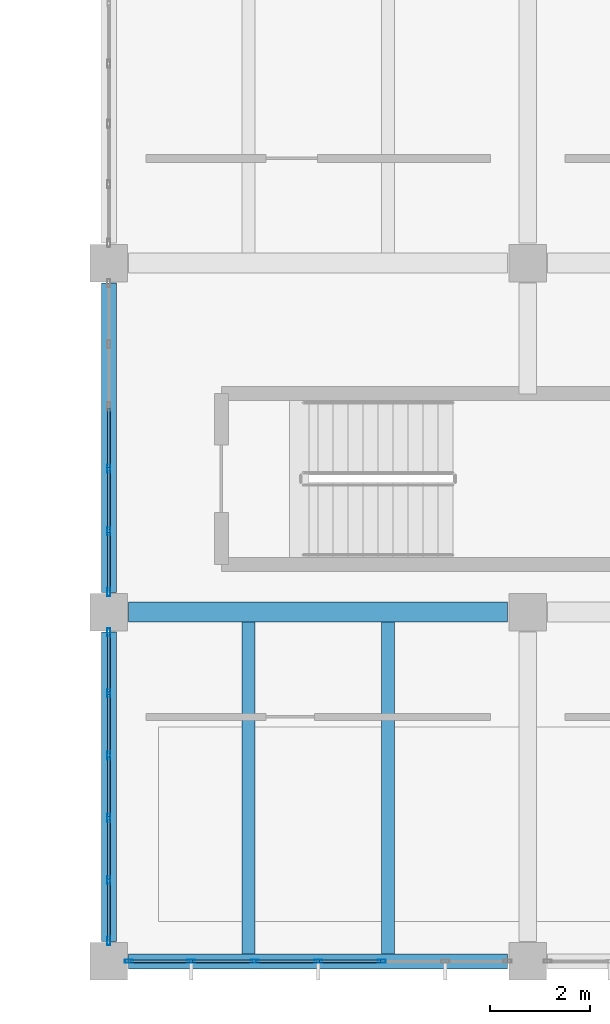
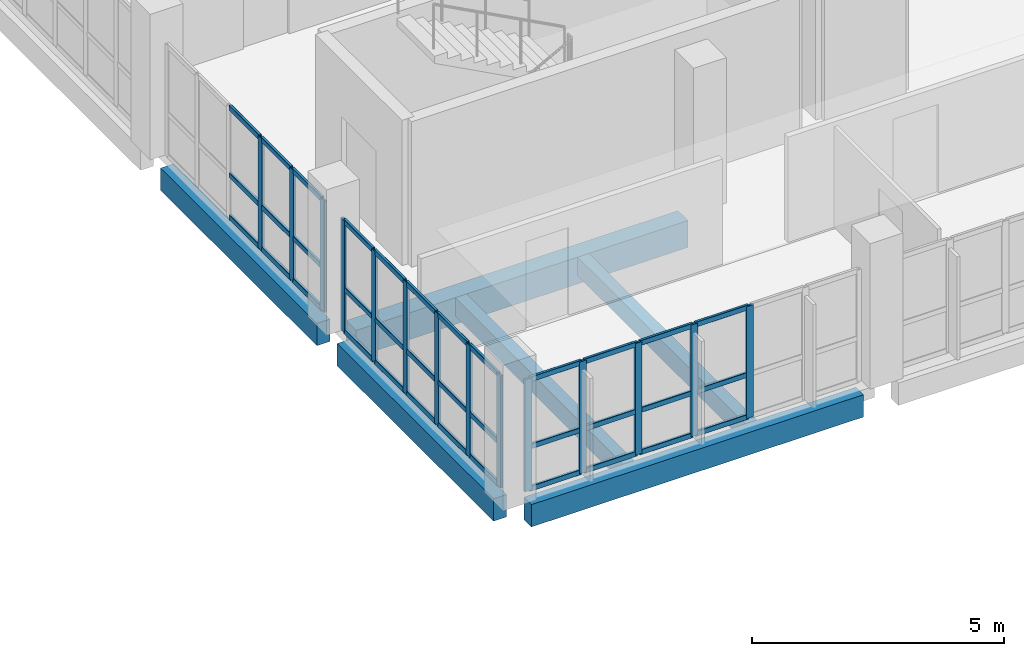
# One storey, part 5 of 95: 50 members, 6 beams, 3 elements without a shape of their own.
"""IFC4 building model written with IfcOpenShell, lengths in metres."""

from ifc_helpers import new_model, si_unit, direction, frame, origin, origin_2d, place, context, subcontext, project, spatial, rectangle, hollow_rectangle, extrude, material, layer, layer_set, material_profile, profile_set, type_object, element, aggregate, save


model = new_model("IFC4")

# Units and contexts
model_context = context("Model", 3, precision=1e-05, world=origin(), true_north=direction((0.0, 1.0)))
body_context = subcontext(model_context, "Body", "Model", "MODEL_VIEW")
ifc_project = project(units=[si_unit("LENGTHUNIT", "METRE"), si_unit("AREAUNIT", "SQUARE_METRE"), si_unit("VOLUMEUNIT", "CUBIC_METRE"), si_unit("PLANEANGLEUNIT", "RADIAN"), si_unit("MASSUNIT", "GRAM", prefix="KILO"), si_unit("THERMODYNAMICTEMPERATUREUNIT", "KELVIN"), si_unit("POWERUNIT", "WATT")], contexts=[model_context])

# Site, building, storey
site_placement = place(None, origin())
site = spatial("IfcSite", under=ifc_project, at=site_placement, CompositionType="ELEMENT")
building_placement = place(site_placement, origin())
building = spatial("IfcBuilding", under=site, at=building_placement, Name="Mavoryth Pier Ferry Terminal", CompositionType="ELEMENT")
storey_placement = place(building_placement, frame((0.0, 0.0, 9.60009765625)))
storey = spatial("IfcBuildingStorey", under=building, at=storey_placement, Name="L02", CompositionType="ELEMENT", Elevation=9.60009765625)

# Beams
ifc_material_1 = material(Name="Concrete C35/45", Category="concrete")
ifc_material_profile_1 = material_profile(ifc_material_1, rectangle(XDim=0.39990234375, YDim=0.64990234375, at=origin_2d()), Name="RC 400x650", Category="concrete")
ifc_profile_set_1 = profile_set([ifc_material_profile_1], Name="Concrete C35/45 - RC 400x650")
beam_type_1 = type_object("IfcBeamType", Name="Girder-RC-400x650", PredefinedType="BEAM", material=ifc_profile_set_1)
beam_1_placement = place(storey_placement, frame((42.39990234375, 7.0, -0.585205078125), z_axis=(1.0, 0.0, 0.0), x_axis=(0.0, 1.0, 0.0)))
element("IfcBeam", 1, at=beam_1_placement, inside=storey, type_object=beam_type_1, Name="Beam B02-BG05-0957", PredefinedType="BEAM", context=body_context, shape_type="SweptSolid", body=[
    extrude(rectangle(XDim=0.39990234375, YDim=0.64990234375, at=origin_2d()), origin(), (0.0, 0.0, 1.0), 7.60009765625),
])
ifc_material_profile_2 = material_profile(ifc_material_1, rectangle(XDim=0.260009765625, YDim=0.449951171875, at=origin_2d()), Name="RC 260x450", Category="concrete")
ifc_profile_set_2 = profile_set([ifc_material_profile_2], Name="Concrete C35/45 - RC 260x450")
beam_type_2 = type_object("IfcBeamType", Name="Joist-RC-260x450", PredefinedType="JOIST", material=ifc_profile_set_2)
for number, where, z_axis, x_axis, name in (
    (2, (44.800048828125, 0.14990234375, -0.485107421875), (0.0, 1.0, 0.0), (-1.0, 0.0, 0.0), "Beam B02-BJ03-0996"),
    (3, (47.60009765625, 0.14990234375, -0.485107421875), (0.0, 1.0, 0.0), (-1.0, 0.0, 0.0), "Beam B02-BJ03-0997"),
):
    element("IfcBeam", number, at=place(storey_placement, frame(where, z_axis=z_axis, x_axis=x_axis)), inside=storey, type_object=beam_type_2, Name=name, PredefinedType="JOIST", context=body_context, shape_type="SweptSolid", body=[
        extrude(rectangle(XDim=0.260009765625, YDim=0.449951171875, at=origin_2d()), origin(), (0.0, 0.0, 1.0), 6.650146484375),
    ])

# Curtain wall, members
ifc_material_2 = material(Name="Anodised Aluminium and Solar-Control Low-E Glass", Category="aluminium")
ifc_layer = layer(ifc_material_2, 0.239990234375, Name="Anodised Aluminium and Solar-Control Low-E Glass", Category="aluminium")
ifc_layer_set = layer_set([ifc_layer], Name="Anodised Aluminium and Solar-Control Low-E Glass - CW-Operations-Mod1200")
curtain_wall_type = type_object("IfcCurtainWallType", Name="CW-Operations-Mod1200", PredefinedType="USERDEFINED", material=ifc_layer_set)
curtain_wall_1_placement = place(storey_placement, origin())
curtain_wall_1 = element("IfcCurtainWall", 4, at=curtain_wall_1_placement, inside=storey, type_object=curtain_wall_type, Name="Curtain Wall CW-0222-123", ObjectType="UNITISED CURTAIN WALL", PredefinedType="USERDEFINED")
ifc_material_3 = material(Name="Anodised Aluminium EN AW-6063", Category="aluminium")
ifc_material_profile_3 = material_profile(ifc_material_3, hollow_rectangle(XDim=0.06005859375, YDim=0.1650390625, WallThickness=0.00390625, InnerFilletRadius=0.00390625, OuterFilletRadius=0.008056640625, at=origin_2d()), Name="AL-MULL 165x60x4", Category="aluminium")
ifc_profile_set_3 = profile_set([ifc_material_profile_3], Name="Anodised Aluminium EN AW-6063 - AL-MULL 165x60x4")
member_type_1 = type_object("IfcMemberType", Name="Mullion-Alum-165x60", PredefinedType="MULLION", material=ifc_profile_set_3)
member_1_placement = place(storey_placement, frame((42.405029296875, 0.0, 0.0), z_axis=(0.0, 0.0, 1.0), x_axis=(0.0, 1.0, 0.0)))
member_1 = element("IfcMember", 5, at=member_1_placement, type_object=member_type_1, Name="CW06 mullion 1", PredefinedType="MULLION", context=body_context, shape_type="SweptSolid", body=[
    extrude(hollow_rectangle(XDim=0.06005859375, YDim=0.1650390625, WallThickness=0.00390625, InnerFilletRadius=0.00390625, OuterFilletRadius=0.008056640625, at=origin_2d()), origin(), (0.0, 0.0, 1.0), 2.704833984375),
])
member_2_placement = place(storey_placement, frame((43.64990234375, 0.0, 0.0), z_axis=(0.0, 0.0, 1.0), x_axis=(0.0, 1.0, 0.0)))
member_2 = element("IfcMember", 6, at=member_2_placement, type_object=member_type_1, Name="CW06 mullion 2", PredefinedType="MULLION", context=body_context, shape_type="SweptSolid", body=[
    extrude(hollow_rectangle(XDim=0.06005859375, YDim=0.1650390625, WallThickness=0.00390625, InnerFilletRadius=0.00390625, OuterFilletRadius=0.008056640625, at=origin_2d()), origin(), (0.0, 0.0, 1.0), 2.704833984375),
])
member_3_placement = place(storey_placement, frame((44.925048828125, 0.0, 0.0), z_axis=(0.0, 0.0, 1.0), x_axis=(0.0, 1.0, 0.0)))
member_3 = element("IfcMember", 7, at=member_3_placement, type_object=member_type_1, Name="CW06 mullion 3", PredefinedType="MULLION", context=body_context, shape_type="SweptSolid", body=[
    extrude(hollow_rectangle(XDim=0.06005859375, YDim=0.1650390625, WallThickness=0.00390625, InnerFilletRadius=0.00390625, OuterFilletRadius=0.008056640625, at=origin_2d()), origin(), (0.0, 0.0, 1.0), 2.704833984375),
])
member_4_placement = place(storey_placement, frame((46.199951171875, 0.0, 0.0), z_axis=(0.0, 0.0, 1.0), x_axis=(0.0, 1.0, 0.0)))
member_4 = element("IfcMember", 8, at=member_4_placement, type_object=member_type_1, Name="CW06 mullion 4", PredefinedType="MULLION", context=body_context, shape_type="SweptSolid", body=[
    extrude(hollow_rectangle(XDim=0.06005859375, YDim=0.1650390625, WallThickness=0.00390625, InnerFilletRadius=0.00390625, OuterFilletRadius=0.008056640625, at=origin_2d()), origin(), (0.0, 0.0, 1.0), 2.704833984375),
])
member_5_placement = place(storey_placement, frame((47.47509765625, 0.0, 0.0), z_axis=(0.0, 0.0, 1.0), x_axis=(0.0, 1.0, 0.0)))
member_5 = element("IfcMember", 9, at=member_5_placement, type_object=member_type_1, Name="CW06 mullion 5", PredefinedType="MULLION", context=body_context, shape_type="SweptSolid", body=[
    extrude(hollow_rectangle(XDim=0.06005859375, YDim=0.1650390625, WallThickness=0.00390625, InnerFilletRadius=0.00390625, OuterFilletRadius=0.008056640625, at=origin_2d()), origin(), (0.0, 0.0, 1.0), 2.704833984375),
])

curtain_wall_2_placement = place(storey_placement, origin())
curtain_wall_2 = element("IfcCurtainWall", 10, at=curtain_wall_2_placement, inside=storey, type_object=curtain_wall_type, Name="Curtain Wall CW-0222-133", ObjectType="UNITISED CURTAIN WALL", PredefinedType="USERDEFINED")
member_6_placement = place(storey_placement, frame((42.0, 6.594970703125, 0.0), z_axis=(0.0, 0.0, 1.0), x_axis=(1.0, 0.0, 0.0)))
member_6 = element("IfcMember", 11, at=member_6_placement, type_object=member_type_1, Name="CW06 mullion 1", PredefinedType="MULLION", context=body_context, shape_type="SweptSolid", body=[
    extrude(hollow_rectangle(XDim=0.06005859375, YDim=0.1650390625, WallThickness=0.00390625, InnerFilletRadius=0.00390625, OuterFilletRadius=0.008056640625, at=origin_2d()), origin(), (0.0, 0.0, 1.0), 2.704833984375),
])
member_7_placement = place(storey_placement, frame((42.0, 5.375, 0.0), z_axis=(0.0, 0.0, 1.0), x_axis=(1.0, 0.0, 0.0)))
member_7 = element("IfcMember", 12, at=member_7_placement, type_object=member_type_1, Name="CW06 mullion 2", PredefinedType="MULLION", context=body_context, shape_type="SweptSolid", body=[
    extrude(hollow_rectangle(XDim=0.06005859375, YDim=0.1650390625, WallThickness=0.00390625, InnerFilletRadius=0.00390625, OuterFilletRadius=0.008056640625, at=origin_2d()), origin(), (0.0, 0.0, 1.0), 2.704833984375),
])
member_8_placement = place(storey_placement, frame((42.0, 4.125, 0.0), z_axis=(0.0, 0.0, 1.0), x_axis=(1.0, 0.0, 0.0)))
member_8 = element("IfcMember", 13, at=member_8_placement, type_object=member_type_1, Name="CW06 mullion 3", PredefinedType="MULLION", context=body_context, shape_type="SweptSolid", body=[
    extrude(hollow_rectangle(XDim=0.06005859375, YDim=0.1650390625, WallThickness=0.00390625, InnerFilletRadius=0.00390625, OuterFilletRadius=0.008056640625, at=origin_2d()), origin(), (0.0, 0.0, 1.0), 2.704833984375),
])
member_9_placement = place(storey_placement, frame((42.0, 2.875, 0.0), z_axis=(0.0, 0.0, 1.0), x_axis=(1.0, 0.0, 0.0)))
member_9 = element("IfcMember", 14, at=member_9_placement, type_object=member_type_1, Name="CW06 mullion 4", PredefinedType="MULLION", context=body_context, shape_type="SweptSolid", body=[
    extrude(hollow_rectangle(XDim=0.06005859375, YDim=0.1650390625, WallThickness=0.00390625, InnerFilletRadius=0.00390625, OuterFilletRadius=0.008056640625, at=origin_2d()), origin(), (0.0, 0.0, 1.0), 2.704833984375),
])
member_10_placement = place(storey_placement, frame((42.0, 1.625, 0.0), z_axis=(0.0, 0.0, 1.0), x_axis=(1.0, 0.0, 0.0)))
member_10 = element("IfcMember", 15, at=member_10_placement, type_object=member_type_1, Name="CW06 mullion 5", PredefinedType="MULLION", context=body_context, shape_type="SweptSolid", body=[
    extrude(hollow_rectangle(XDim=0.06005859375, YDim=0.1650390625, WallThickness=0.00390625, InnerFilletRadius=0.00390625, OuterFilletRadius=0.008056640625, at=origin_2d()), origin(), (0.0, 0.0, 1.0), 2.704833984375),
])
member_11_placement = place(storey_placement, frame((42.0, 0.405029296875, 0.0), z_axis=(0.0, 0.0, 1.0), x_axis=(1.0, 0.0, 0.0)))
member_11 = element("IfcMember", 16, at=member_11_placement, type_object=member_type_1, Name="CW06 mullion 6", PredefinedType="MULLION", context=body_context, shape_type="SweptSolid", body=[
    extrude(hollow_rectangle(XDim=0.06005859375, YDim=0.1650390625, WallThickness=0.00390625, InnerFilletRadius=0.00390625, OuterFilletRadius=0.008056640625, at=origin_2d()), origin(), (0.0, 0.0, 1.0), 2.704833984375),
])

curtain_wall_3_placement = place(storey_placement, origin())
curtain_wall_3 = element("IfcCurtainWall", 17, at=curtain_wall_3_placement, inside=storey, type_object=curtain_wall_type, Name="Curtain Wall CW-0222-134", ObjectType="UNITISED CURTAIN WALL", PredefinedType="USERDEFINED")
member_12_placement = place(storey_placement, frame((42.0, 9.875, 0.0), z_axis=(0.0, 0.0, 1.0), x_axis=(1.0, 0.0, 0.0)))
member_12 = element("IfcMember", 18, at=member_12_placement, type_object=member_type_1, Name="CW06 mullion 4", PredefinedType="MULLION", context=body_context, shape_type="SweptSolid", body=[
    extrude(hollow_rectangle(XDim=0.06005859375, YDim=0.1650390625, WallThickness=0.00390625, InnerFilletRadius=0.00390625, OuterFilletRadius=0.008056640625, at=origin_2d()), origin(), (0.0, 0.0, 1.0), 2.704833984375),
])
member_13_placement = place(storey_placement, frame((42.0, 8.625, 0.0), z_axis=(0.0, 0.0, 1.0), x_axis=(1.0, 0.0, 0.0)))
member_13 = element("IfcMember", 19, at=member_13_placement, type_object=member_type_1, Name="CW06 mullion 5", PredefinedType="MULLION", context=body_context, shape_type="SweptSolid", body=[
    extrude(hollow_rectangle(XDim=0.06005859375, YDim=0.1650390625, WallThickness=0.00390625, InnerFilletRadius=0.00390625, OuterFilletRadius=0.008056640625, at=origin_2d()), origin(), (0.0, 0.0, 1.0), 2.704833984375),
])
member_14_placement = place(storey_placement, frame((42.0, 7.405029296875, 0.0), z_axis=(0.0, 0.0, 1.0), x_axis=(1.0, 0.0, 0.0)))
member_14 = element("IfcMember", 20, at=member_14_placement, type_object=member_type_1, Name="CW06 mullion 6", PredefinedType="MULLION", context=body_context, shape_type="SweptSolid", body=[
    extrude(hollow_rectangle(XDim=0.06005859375, YDim=0.1650390625, WallThickness=0.00390625, InnerFilletRadius=0.00390625, OuterFilletRadius=0.008056640625, at=origin_2d()), origin(), (0.0, 0.0, 1.0), 2.704833984375),
])

# Beams
ifc_material_profile_4 = material_profile(ifc_material_1, rectangle(XDim=0.300048828125, YDim=0.5400390625, at=origin_2d()), Name="RC 300x540", Category="concrete")
ifc_profile_set_4 = profile_set([ifc_material_profile_4], Name="Concrete C35/45 - RC 300x540")
beam_type_3 = type_object("IfcBeamType", Name="Spandrel-RC-300x540", PredefinedType="SPANDREL", material=ifc_profile_set_4)
beam_2_placement = place(storey_placement, frame((42.39990234375, 0.0, -0.530029296875), z_axis=(1.0, 0.0, 0.0), x_axis=(0.0, 1.0, 0.0)))
element("IfcBeam", 21, at=beam_2_placement, inside=storey, type_object=beam_type_3, Name="Beam B02-SP02-0951", PredefinedType="SPANDREL", context=body_context, shape_type="SweptSolid", body=[
    extrude(rectangle(XDim=0.300048828125, YDim=0.5400390625, at=origin_2d()), origin(), (0.0, 0.0, 1.0), 7.60009765625),
])
for number, where, z_axis, x_axis, name in (
    (22, (42.0, 0.39990234375, -0.530029296875), (0.0, 1.0, 0.0), (-1.0, 0.0, 0.0), "Beam B02-SP02-0975"),
    (23, (42.0, 7.39990234375, -0.530029296875), (0.0, 1.0, 0.0), (-1.0, 0.0, 0.0), "Beam B02-SP02-0976"),
):
    element("IfcBeam", number, at=place(storey_placement, frame(where, z_axis=z_axis, x_axis=x_axis)), inside=storey, type_object=beam_type_3, Name=name, PredefinedType="SPANDREL", context=body_context, shape_type="SweptSolid", body=[
        extrude(rectangle(XDim=0.300048828125, YDim=0.5400390625, at=origin_2d()), origin(), (0.0, 0.0, 1.0), 6.2001953125),
    ])

# Member
ifc_material_profile_5 = material_profile(ifc_material_3, hollow_rectangle(XDim=0.06005859375, YDim=0.125, WallThickness=0.00390625, InnerFilletRadius=0.00390625, OuterFilletRadius=0.008056640625, at=origin_2d()), Name="AL-TRAN 125x60x4", Category="aluminium")
ifc_profile_set_5 = profile_set([ifc_material_profile_5], Name="Anodised Aluminium EN AW-6063 - AL-TRAN 125x60x4")
member_type_2 = type_object("IfcMemberType", Name="Transom-Alum-125x60", PredefinedType="USERDEFINED", material=ifc_profile_set_5)
member_15_placement = place(storey_placement, frame((42.43505859375, 0.0, 0.02978515625), z_axis=(1.0, 0.0, 0.0), x_axis=(0.0, 1.0, 0.0)))
member_15 = element("IfcMember", 24, at=member_15_placement, type_object=member_type_2, Name="CW06 transom 1.1", ObjectType="TRANSOM", PredefinedType="USERDEFINED", context=body_context, shape_type="SweptSolid", body=[
    extrude(hollow_rectangle(XDim=0.06005859375, YDim=0.125, WallThickness=0.00390625, InnerFilletRadius=0.00390625, OuterFilletRadius=0.008056640625, at=origin_2d()), origin(), (0.0, 0.0, 1.0), 1.18505859375),
])

member_16_placement = place(storey_placement, frame((42.43505859375, 0.0, 1.0498046875), z_axis=(1.0, 0.0, 0.0), x_axis=(0.0, 1.0, 0.0)))
member_16 = element("IfcMember", 25, at=member_16_placement, type_object=member_type_2, Name="CW06 transom 1.2", ObjectType="TRANSOM", PredefinedType="USERDEFINED", context=body_context, shape_type="SweptSolid", body=[
    extrude(hollow_rectangle(XDim=0.06005859375, YDim=0.125, WallThickness=0.00390625, InnerFilletRadius=0.00390625, OuterFilletRadius=0.008056640625, at=origin_2d()), origin(), (0.0, 0.0, 1.0), 1.18505859375),
])

member_17_placement = place(storey_placement, frame((42.43505859375, 0.0, 2.6748046875), z_axis=(1.0, 0.0, 0.0), x_axis=(0.0, 1.0, 0.0)))
member_17 = element("IfcMember", 26, at=member_17_placement, type_object=member_type_2, Name="CW06 transom 1.3", ObjectType="TRANSOM", PredefinedType="USERDEFINED", context=body_context, shape_type="SweptSolid", body=[
    extrude(hollow_rectangle(XDim=0.06005859375, YDim=0.125, WallThickness=0.00390625, InnerFilletRadius=0.00390625, OuterFilletRadius=0.008056640625, at=origin_2d()), origin(), (0.0, 0.0, 1.0), 1.18505859375),
])

member_18_placement = place(storey_placement, frame((43.679931640625, 0.0, 0.02978515625), z_axis=(1.0, 0.0, 0.0), x_axis=(0.0, 1.0, 0.0)))
member_18 = element("IfcMember", 27, at=member_18_placement, type_object=member_type_2, Name="CW06 transom 2.1", ObjectType="TRANSOM", PredefinedType="USERDEFINED", context=body_context, shape_type="SweptSolid", body=[
    extrude(hollow_rectangle(XDim=0.06005859375, YDim=0.125, WallThickness=0.00390625, InnerFilletRadius=0.00390625, OuterFilletRadius=0.008056640625, at=origin_2d()), origin(), (0.0, 0.0, 1.0), 1.215087890625),
])

member_19_placement = place(storey_placement, frame((43.679931640625, 0.0, 1.0498046875), z_axis=(1.0, 0.0, 0.0), x_axis=(0.0, 1.0, 0.0)))
member_19 = element("IfcMember", 28, at=member_19_placement, type_object=member_type_2, Name="CW06 transom 2.2", ObjectType="TRANSOM", PredefinedType="USERDEFINED", context=body_context, shape_type="SweptSolid", body=[
    extrude(hollow_rectangle(XDim=0.06005859375, YDim=0.125, WallThickness=0.00390625, InnerFilletRadius=0.00390625, OuterFilletRadius=0.008056640625, at=origin_2d()), origin(), (0.0, 0.0, 1.0), 1.215087890625),
])

member_20_placement = place(storey_placement, frame((43.679931640625, 0.0, 2.6748046875), z_axis=(1.0, 0.0, 0.0), x_axis=(0.0, 1.0, 0.0)))
member_20 = element("IfcMember", 29, at=member_20_placement, type_object=member_type_2, Name="CW06 transom 2.3", ObjectType="TRANSOM", PredefinedType="USERDEFINED", context=body_context, shape_type="SweptSolid", body=[
    extrude(hollow_rectangle(XDim=0.06005859375, YDim=0.125, WallThickness=0.00390625, InnerFilletRadius=0.00390625, OuterFilletRadius=0.008056640625, at=origin_2d()), origin(), (0.0, 0.0, 1.0), 1.215087890625),
])

member_21_placement = place(storey_placement, frame((44.955078125, 0.0, 0.02978515625), z_axis=(1.0, 0.0, 0.0), x_axis=(0.0, 1.0, 0.0)))
member_21 = element("IfcMember", 30, at=member_21_placement, type_object=member_type_2, Name="CW06 transom 3.1", ObjectType="TRANSOM", PredefinedType="USERDEFINED", context=body_context, shape_type="SweptSolid", body=[
    extrude(hollow_rectangle(XDim=0.06005859375, YDim=0.125, WallThickness=0.00390625, InnerFilletRadius=0.00390625, OuterFilletRadius=0.008056640625, at=origin_2d()), origin(), (0.0, 0.0, 1.0), 1.21484375),
])

member_22_placement = place(storey_placement, frame((44.955078125, 0.0, 1.0498046875), z_axis=(1.0, 0.0, 0.0), x_axis=(0.0, 1.0, 0.0)))
member_22 = element("IfcMember", 31, at=member_22_placement, type_object=member_type_2, Name="CW06 transom 3.2", ObjectType="TRANSOM", PredefinedType="USERDEFINED", context=body_context, shape_type="SweptSolid", body=[
    extrude(hollow_rectangle(XDim=0.06005859375, YDim=0.125, WallThickness=0.00390625, InnerFilletRadius=0.00390625, OuterFilletRadius=0.008056640625, at=origin_2d()), origin(), (0.0, 0.0, 1.0), 1.21484375),
])

member_23_placement = place(storey_placement, frame((44.955078125, 0.0, 2.6748046875), z_axis=(1.0, 0.0, 0.0), x_axis=(0.0, 1.0, 0.0)))
member_23 = element("IfcMember", 32, at=member_23_placement, type_object=member_type_2, Name="CW06 transom 3.3", ObjectType="TRANSOM", PredefinedType="USERDEFINED", context=body_context, shape_type="SweptSolid", body=[
    extrude(hollow_rectangle(XDim=0.06005859375, YDim=0.125, WallThickness=0.00390625, InnerFilletRadius=0.00390625, OuterFilletRadius=0.008056640625, at=origin_2d()), origin(), (0.0, 0.0, 1.0), 1.21484375),
])

member_24_placement = place(storey_placement, frame((46.22998046875, 0.0, 0.02978515625), z_axis=(1.0, 0.0, 0.0), x_axis=(0.0, 1.0, 0.0)))
member_24 = element("IfcMember", 33, at=member_24_placement, type_object=member_type_2, Name="CW06 transom 4.1", ObjectType="TRANSOM", PredefinedType="USERDEFINED", context=body_context, shape_type="SweptSolid", body=[
    extrude(hollow_rectangle(XDim=0.06005859375, YDim=0.125, WallThickness=0.00390625, InnerFilletRadius=0.00390625, OuterFilletRadius=0.008056640625, at=origin_2d()), origin(), (0.0, 0.0, 1.0), 1.215087890625),
])

member_25_placement = place(storey_placement, frame((46.22998046875, 0.0, 1.0498046875), z_axis=(1.0, 0.0, 0.0), x_axis=(0.0, 1.0, 0.0)))
member_25 = element("IfcMember", 34, at=member_25_placement, type_object=member_type_2, Name="CW06 transom 4.2", ObjectType="TRANSOM", PredefinedType="USERDEFINED", context=body_context, shape_type="SweptSolid", body=[
    extrude(hollow_rectangle(XDim=0.06005859375, YDim=0.125, WallThickness=0.00390625, InnerFilletRadius=0.00390625, OuterFilletRadius=0.008056640625, at=origin_2d()), origin(), (0.0, 0.0, 1.0), 1.215087890625),
])

member_26_placement = place(storey_placement, frame((46.22998046875, 0.0, 2.6748046875), z_axis=(1.0, 0.0, 0.0), x_axis=(0.0, 1.0, 0.0)))
member_26 = element("IfcMember", 35, at=member_26_placement, type_object=member_type_2, Name="CW06 transom 4.3", ObjectType="TRANSOM", PredefinedType="USERDEFINED", context=body_context, shape_type="SweptSolid", body=[
    extrude(hollow_rectangle(XDim=0.06005859375, YDim=0.125, WallThickness=0.00390625, InnerFilletRadius=0.00390625, OuterFilletRadius=0.008056640625, at=origin_2d()), origin(), (0.0, 0.0, 1.0), 1.215087890625),
])

aggregate(curtain_wall_1, [member_1, member_2, member_3, member_4, member_5, member_15, member_16, member_17, member_18, member_19, member_20, member_21, member_22, member_23, member_24, member_25, member_26])

member_27_placement = place(storey_placement, frame((42.0, 6.56494140625, 0.02978515625), z_axis=(0.0, -1.0, 0.0), x_axis=(1.0, 0.0, 0.0)))
member_27 = element("IfcMember", 36, at=member_27_placement, type_object=member_type_2, Name="CW06 transom 1.1", ObjectType="TRANSOM", PredefinedType="USERDEFINED", context=body_context, shape_type="SweptSolid", body=[
    extrude(hollow_rectangle(XDim=0.06005859375, YDim=0.125, WallThickness=0.00390625, InnerFilletRadius=0.00390625, OuterFilletRadius=0.008056640625, at=origin_2d()), origin(), (0.0, 0.0, 1.0), 1.159912109375),
])

member_28_placement = place(storey_placement, frame((42.0, 6.56494140625, 1.0498046875), z_axis=(0.0, -1.0, 0.0), x_axis=(1.0, 0.0, 0.0)))
member_28 = element("IfcMember", 37, at=member_28_placement, type_object=member_type_2, Name="CW06 transom 1.2", ObjectType="TRANSOM", PredefinedType="USERDEFINED", context=body_context, shape_type="SweptSolid", body=[
    extrude(hollow_rectangle(XDim=0.06005859375, YDim=0.125, WallThickness=0.00390625, InnerFilletRadius=0.00390625, OuterFilletRadius=0.008056640625, at=origin_2d()), origin(), (0.0, 0.0, 1.0), 1.159912109375),
])

member_29_placement = place(storey_placement, frame((42.0, 6.56494140625, 2.6748046875), z_axis=(0.0, -1.0, 0.0), x_axis=(1.0, 0.0, 0.0)))
member_29 = element("IfcMember", 38, at=member_29_placement, type_object=member_type_2, Name="CW06 transom 1.3", ObjectType="TRANSOM", PredefinedType="USERDEFINED", context=body_context, shape_type="SweptSolid", body=[
    extrude(hollow_rectangle(XDim=0.06005859375, YDim=0.125, WallThickness=0.00390625, InnerFilletRadius=0.00390625, OuterFilletRadius=0.008056640625, at=origin_2d()), origin(), (0.0, 0.0, 1.0), 1.159912109375),
])

member_30_placement = place(storey_placement, frame((42.0, 5.344970703125, 0.02978515625), z_axis=(0.0, -1.0, 0.0), x_axis=(1.0, 0.0, 0.0)))
member_30 = element("IfcMember", 39, at=member_30_placement, type_object=member_type_2, Name="CW06 transom 2.1", ObjectType="TRANSOM", PredefinedType="USERDEFINED", context=body_context, shape_type="SweptSolid", body=[
    extrude(hollow_rectangle(XDim=0.06005859375, YDim=0.125, WallThickness=0.00390625, InnerFilletRadius=0.00390625, OuterFilletRadius=0.008056640625, at=origin_2d()), origin(), (0.0, 0.0, 1.0), 1.18994140625),
])

member_31_placement = place(storey_placement, frame((42.0, 5.344970703125, 1.0498046875), z_axis=(0.0, -1.0, 0.0), x_axis=(1.0, 0.0, 0.0)))
member_31 = element("IfcMember", 40, at=member_31_placement, type_object=member_type_2, Name="CW06 transom 2.2", ObjectType="TRANSOM", PredefinedType="USERDEFINED", context=body_context, shape_type="SweptSolid", body=[
    extrude(hollow_rectangle(XDim=0.06005859375, YDim=0.125, WallThickness=0.00390625, InnerFilletRadius=0.00390625, OuterFilletRadius=0.008056640625, at=origin_2d()), origin(), (0.0, 0.0, 1.0), 1.18994140625),
])

member_32_placement = place(storey_placement, frame((42.0, 5.344970703125, 2.6748046875), z_axis=(0.0, -1.0, 0.0), x_axis=(1.0, 0.0, 0.0)))
member_32 = element("IfcMember", 41, at=member_32_placement, type_object=member_type_2, Name="CW06 transom 2.3", ObjectType="TRANSOM", PredefinedType="USERDEFINED", context=body_context, shape_type="SweptSolid", body=[
    extrude(hollow_rectangle(XDim=0.06005859375, YDim=0.125, WallThickness=0.00390625, InnerFilletRadius=0.00390625, OuterFilletRadius=0.008056640625, at=origin_2d()), origin(), (0.0, 0.0, 1.0), 1.18994140625),
])

member_33_placement = place(storey_placement, frame((42.0, 4.094970703125, 0.02978515625), z_axis=(0.0, -1.0, 0.0), x_axis=(1.0, 0.0, 0.0)))
member_33 = element("IfcMember", 42, at=member_33_placement, type_object=member_type_2, Name="CW06 transom 3.1", ObjectType="TRANSOM", PredefinedType="USERDEFINED", context=body_context, shape_type="SweptSolid", body=[
    extrude(hollow_rectangle(XDim=0.06005859375, YDim=0.125, WallThickness=0.00390625, InnerFilletRadius=0.00390625, OuterFilletRadius=0.008056640625, at=origin_2d()), origin(), (0.0, 0.0, 1.0), 1.18994140625),
])

member_34_placement = place(storey_placement, frame((42.0, 4.094970703125, 1.0498046875), z_axis=(0.0, -1.0, 0.0), x_axis=(1.0, 0.0, 0.0)))
member_34 = element("IfcMember", 43, at=member_34_placement, type_object=member_type_2, Name="CW06 transom 3.2", ObjectType="TRANSOM", PredefinedType="USERDEFINED", context=body_context, shape_type="SweptSolid", body=[
    extrude(hollow_rectangle(XDim=0.06005859375, YDim=0.125, WallThickness=0.00390625, InnerFilletRadius=0.00390625, OuterFilletRadius=0.008056640625, at=origin_2d()), origin(), (0.0, 0.0, 1.0), 1.18994140625),
])

member_35_placement = place(storey_placement, frame((42.0, 4.094970703125, 2.6748046875), z_axis=(0.0, -1.0, 0.0), x_axis=(1.0, 0.0, 0.0)))
member_35 = element("IfcMember", 44, at=member_35_placement, type_object=member_type_2, Name="CW06 transom 3.3", ObjectType="TRANSOM", PredefinedType="USERDEFINED", context=body_context, shape_type="SweptSolid", body=[
    extrude(hollow_rectangle(XDim=0.06005859375, YDim=0.125, WallThickness=0.00390625, InnerFilletRadius=0.00390625, OuterFilletRadius=0.008056640625, at=origin_2d()), origin(), (0.0, 0.0, 1.0), 1.18994140625),
])

member_36_placement = place(storey_placement, frame((42.0, 2.844970703125, 0.02978515625), z_axis=(0.0, -1.0, 0.0), x_axis=(1.0, 0.0, 0.0)))
member_36 = element("IfcMember", 45, at=member_36_placement, type_object=member_type_2, Name="CW06 transom 4.1", ObjectType="TRANSOM", PredefinedType="USERDEFINED", context=body_context, shape_type="SweptSolid", body=[
    extrude(hollow_rectangle(XDim=0.06005859375, YDim=0.125, WallThickness=0.00390625, InnerFilletRadius=0.00390625, OuterFilletRadius=0.008056640625, at=origin_2d()), origin(), (0.0, 0.0, 1.0), 1.18994140625),
])

member_37_placement = place(storey_placement, frame((42.0, 2.844970703125, 1.0498046875), z_axis=(0.0, -1.0, 0.0), x_axis=(1.0, 0.0, 0.0)))
member_37 = element("IfcMember", 46, at=member_37_placement, type_object=member_type_2, Name="CW06 transom 4.2", ObjectType="TRANSOM", PredefinedType="USERDEFINED", context=body_context, shape_type="SweptSolid", body=[
    extrude(hollow_rectangle(XDim=0.06005859375, YDim=0.125, WallThickness=0.00390625, InnerFilletRadius=0.00390625, OuterFilletRadius=0.008056640625, at=origin_2d()), origin(), (0.0, 0.0, 1.0), 1.18994140625),
])

member_38_placement = place(storey_placement, frame((42.0, 2.844970703125, 2.6748046875), z_axis=(0.0, -1.0, 0.0), x_axis=(1.0, 0.0, 0.0)))
member_38 = element("IfcMember", 47, at=member_38_placement, type_object=member_type_2, Name="CW06 transom 4.3", ObjectType="TRANSOM", PredefinedType="USERDEFINED", context=body_context, shape_type="SweptSolid", body=[
    extrude(hollow_rectangle(XDim=0.06005859375, YDim=0.125, WallThickness=0.00390625, InnerFilletRadius=0.00390625, OuterFilletRadius=0.008056640625, at=origin_2d()), origin(), (0.0, 0.0, 1.0), 1.18994140625),
])

member_39_placement = place(storey_placement, frame((42.0, 1.594970703125, 0.02978515625), z_axis=(0.0, -1.0, 0.0), x_axis=(1.0, 0.0, 0.0)))
member_39 = element("IfcMember", 48, at=member_39_placement, type_object=member_type_2, Name="CW06 transom 5.1", ObjectType="TRANSOM", PredefinedType="USERDEFINED", context=body_context, shape_type="SweptSolid", body=[
    extrude(hollow_rectangle(XDim=0.06005859375, YDim=0.125, WallThickness=0.00390625, InnerFilletRadius=0.00390625, OuterFilletRadius=0.008056640625, at=origin_2d()), origin(), (0.0, 0.0, 1.0), 1.159912109375),
])

member_40_placement = place(storey_placement, frame((42.0, 1.594970703125, 1.0498046875), z_axis=(0.0, -1.0, 0.0), x_axis=(1.0, 0.0, 0.0)))
member_40 = element("IfcMember", 49, at=member_40_placement, type_object=member_type_2, Name="CW06 transom 5.2", ObjectType="TRANSOM", PredefinedType="USERDEFINED", context=body_context, shape_type="SweptSolid", body=[
    extrude(hollow_rectangle(XDim=0.06005859375, YDim=0.125, WallThickness=0.00390625, InnerFilletRadius=0.00390625, OuterFilletRadius=0.008056640625, at=origin_2d()), origin(), (0.0, 0.0, 1.0), 1.159912109375),
])

member_41_placement = place(storey_placement, frame((42.0, 1.594970703125, 2.6748046875), z_axis=(0.0, -1.0, 0.0), x_axis=(1.0, 0.0, 0.0)))
member_41 = element("IfcMember", 50, at=member_41_placement, type_object=member_type_2, Name="CW06 transom 5.3", ObjectType="TRANSOM", PredefinedType="USERDEFINED", context=body_context, shape_type="SweptSolid", body=[
    extrude(hollow_rectangle(XDim=0.06005859375, YDim=0.125, WallThickness=0.00390625, InnerFilletRadius=0.00390625, OuterFilletRadius=0.008056640625, at=origin_2d()), origin(), (0.0, 0.0, 1.0), 1.159912109375),
])

aggregate(curtain_wall_2, [member_6, member_7, member_8, member_9, member_10, member_11, member_27, member_28, member_29, member_30, member_31, member_32, member_33, member_34, member_35, member_36, member_37, member_38, member_39, member_40, member_41])

member_42_placement = place(storey_placement, frame((42.0, 11.094970703125, 0.02978515625), z_axis=(0.0, -1.0, 0.0), x_axis=(1.0, 0.0, 0.0)))
member_42 = element("IfcMember", 51, at=member_42_placement, type_object=member_type_2, Name="CW06 transom 3.1", ObjectType="TRANSOM", PredefinedType="USERDEFINED", context=body_context, shape_type="SweptSolid", body=[
    extrude(hollow_rectangle(XDim=0.06005859375, YDim=0.125, WallThickness=0.00390625, InnerFilletRadius=0.00390625, OuterFilletRadius=0.008056640625, at=origin_2d()), origin(), (0.0, 0.0, 1.0), 1.18994140625),
])

member_43_placement = place(storey_placement, frame((42.0, 11.094970703125, 1.0498046875), z_axis=(0.0, -1.0, 0.0), x_axis=(1.0, 0.0, 0.0)))
member_43 = element("IfcMember", 52, at=member_43_placement, type_object=member_type_2, Name="CW06 transom 3.2", ObjectType="TRANSOM", PredefinedType="USERDEFINED", context=body_context, shape_type="SweptSolid", body=[
    extrude(hollow_rectangle(XDim=0.06005859375, YDim=0.125, WallThickness=0.00390625, InnerFilletRadius=0.00390625, OuterFilletRadius=0.008056640625, at=origin_2d()), origin(), (0.0, 0.0, 1.0), 1.18994140625),
])

member_44_placement = place(storey_placement, frame((42.0, 11.094970703125, 2.6748046875), z_axis=(0.0, -1.0, 0.0), x_axis=(1.0, 0.0, 0.0)))
member_44 = element("IfcMember", 53, at=member_44_placement, type_object=member_type_2, Name="CW06 transom 3.3", ObjectType="TRANSOM", PredefinedType="USERDEFINED", context=body_context, shape_type="SweptSolid", body=[
    extrude(hollow_rectangle(XDim=0.06005859375, YDim=0.125, WallThickness=0.00390625, InnerFilletRadius=0.00390625, OuterFilletRadius=0.008056640625, at=origin_2d()), origin(), (0.0, 0.0, 1.0), 1.18994140625),
])

member_45_placement = place(storey_placement, frame((42.0, 9.844970703125, 0.02978515625), z_axis=(0.0, -1.0, 0.0), x_axis=(1.0, 0.0, 0.0)))
member_45 = element("IfcMember", 54, at=member_45_placement, type_object=member_type_2, Name="CW06 transom 4.1", ObjectType="TRANSOM", PredefinedType="USERDEFINED", context=body_context, shape_type="SweptSolid", body=[
    extrude(hollow_rectangle(XDim=0.06005859375, YDim=0.125, WallThickness=0.00390625, InnerFilletRadius=0.00390625, OuterFilletRadius=0.008056640625, at=origin_2d()), origin(), (0.0, 0.0, 1.0), 1.18994140625),
])

member_46_placement = place(storey_placement, frame((42.0, 9.844970703125, 1.0498046875), z_axis=(0.0, -1.0, 0.0), x_axis=(1.0, 0.0, 0.0)))
member_46 = element("IfcMember", 55, at=member_46_placement, type_object=member_type_2, Name="CW06 transom 4.2", ObjectType="TRANSOM", PredefinedType="USERDEFINED", context=body_context, shape_type="SweptSolid", body=[
    extrude(hollow_rectangle(XDim=0.06005859375, YDim=0.125, WallThickness=0.00390625, InnerFilletRadius=0.00390625, OuterFilletRadius=0.008056640625, at=origin_2d()), origin(), (0.0, 0.0, 1.0), 1.18994140625),
])

member_47_placement = place(storey_placement, frame((42.0, 9.844970703125, 2.6748046875), z_axis=(0.0, -1.0, 0.0), x_axis=(1.0, 0.0, 0.0)))
member_47 = element("IfcMember", 56, at=member_47_placement, type_object=member_type_2, Name="CW06 transom 4.3", ObjectType="TRANSOM", PredefinedType="USERDEFINED", context=body_context, shape_type="SweptSolid", body=[
    extrude(hollow_rectangle(XDim=0.06005859375, YDim=0.125, WallThickness=0.00390625, InnerFilletRadius=0.00390625, OuterFilletRadius=0.008056640625, at=origin_2d()), origin(), (0.0, 0.0, 1.0), 1.18994140625),
])

member_48_placement = place(storey_placement, frame((42.0, 8.594970703125, 0.02978515625), z_axis=(0.0, -1.0, 0.0), x_axis=(1.0, 0.0, 0.0)))
member_48 = element("IfcMember", 57, at=member_48_placement, type_object=member_type_2, Name="CW06 transom 5.1", ObjectType="TRANSOM", PredefinedType="USERDEFINED", context=body_context, shape_type="SweptSolid", body=[
    extrude(hollow_rectangle(XDim=0.06005859375, YDim=0.125, WallThickness=0.00390625, InnerFilletRadius=0.00390625, OuterFilletRadius=0.008056640625, at=origin_2d()), origin(), (0.0, 0.0, 1.0), 1.159912109375),
])

member_49_placement = place(storey_placement, frame((42.0, 8.594970703125, 1.0498046875), z_axis=(0.0, -1.0, 0.0), x_axis=(1.0, 0.0, 0.0)))
member_49 = element("IfcMember", 58, at=member_49_placement, type_object=member_type_2, Name="CW06 transom 5.2", ObjectType="TRANSOM", PredefinedType="USERDEFINED", context=body_context, shape_type="SweptSolid", body=[
    extrude(hollow_rectangle(XDim=0.06005859375, YDim=0.125, WallThickness=0.00390625, InnerFilletRadius=0.00390625, OuterFilletRadius=0.008056640625, at=origin_2d()), origin(), (0.0, 0.0, 1.0), 1.159912109375),
])

member_50_placement = place(storey_placement, frame((42.0, 8.594970703125, 2.6748046875), z_axis=(0.0, -1.0, 0.0), x_axis=(1.0, 0.0, 0.0)))
member_50 = element("IfcMember", 59, at=member_50_placement, type_object=member_type_2, Name="CW06 transom 5.3", ObjectType="TRANSOM", PredefinedType="USERDEFINED", context=body_context, shape_type="SweptSolid", body=[
    extrude(hollow_rectangle(XDim=0.06005859375, YDim=0.125, WallThickness=0.00390625, InnerFilletRadius=0.00390625, OuterFilletRadius=0.008056640625, at=origin_2d()), origin(), (0.0, 0.0, 1.0), 1.159912109375),
])

aggregate(curtain_wall_3, [member_12, member_13, member_14, member_42, member_43, member_44, member_45, member_46, member_47, member_48, member_49, member_50])

save(model, "model.ifc")
